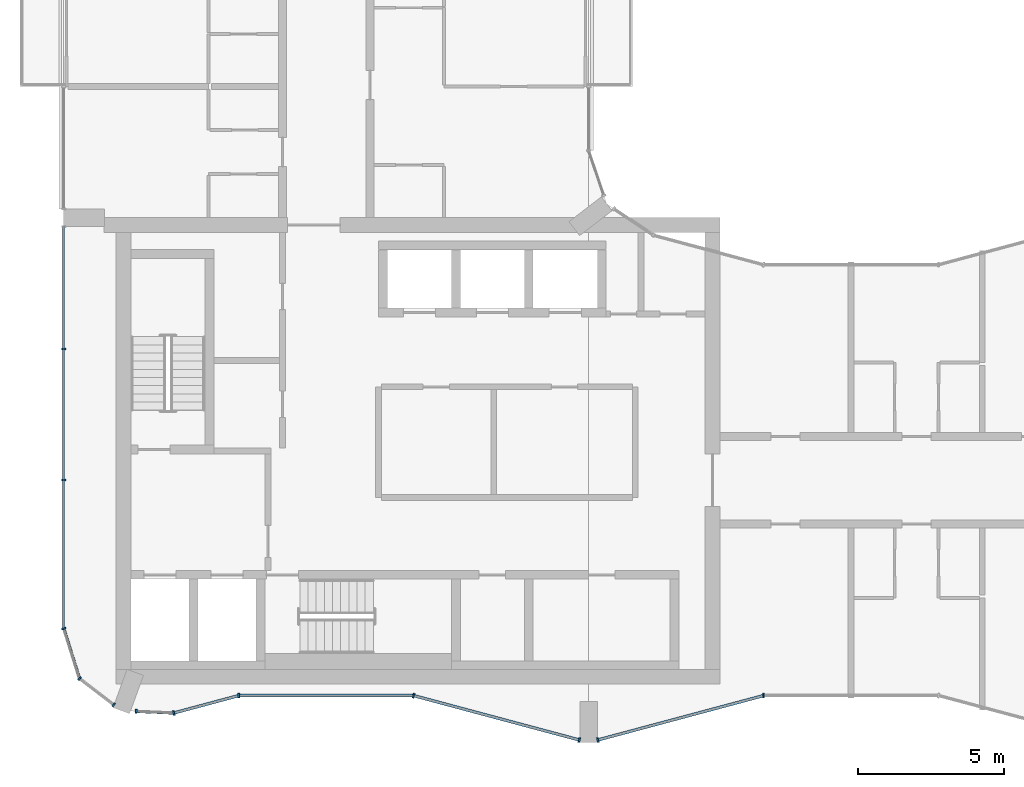
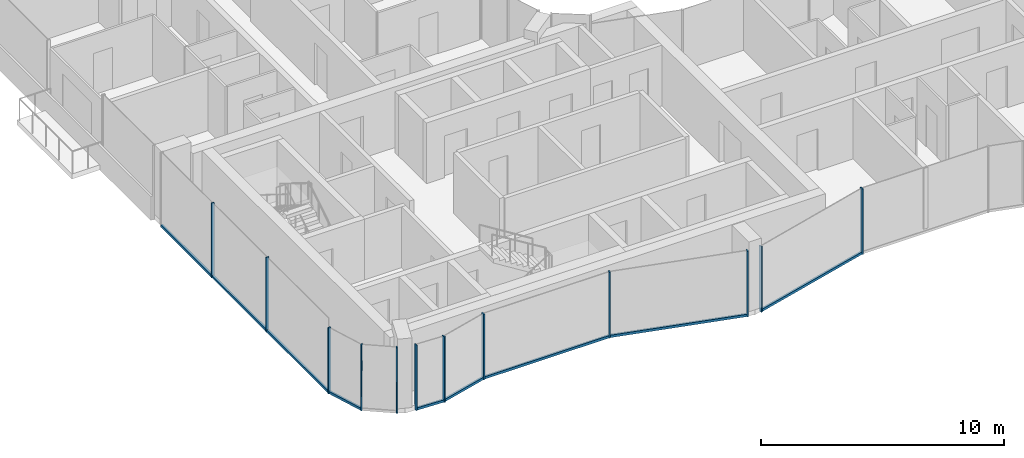
# One storey, part 2 of 17: 19 members, 9 elements without a shape of their own.
"""IFC4 building model written with IfcOpenShell, lengths in metres."""

from ifc_helpers import new_model, si_unit, direction, frame, origin, origin_2d, place, context, subcontext, project, spatial, rectangle, extrude, material, layer, layer_set, material_profile, profile_set, type_object, element, aggregate, save


model = new_model("IFC4")

# Units and contexts
model_context = context("Model", 3, precision=1e-05, world=origin(), true_north=direction((0.0, 1.0)))
body_context = subcontext(model_context, "Body", "Model", "MODEL_VIEW")
ifc_project = project(units=[si_unit("LENGTHUNIT", "METRE"), si_unit("AREAUNIT", "SQUARE_METRE"), si_unit("VOLUMEUNIT", "CUBIC_METRE"), si_unit("PLANEANGLEUNIT", "RADIAN"), si_unit("MASSUNIT", "GRAM", prefix="KILO")], contexts=[model_context])

# Site, building, storey
site_placement = place(None, origin())
site = spatial("IfcSite", under=ifc_project, at=site_placement, CompositionType="ELEMENT")
building_placement = place(site_placement, origin())
building = spatial("IfcBuilding", under=site, at=building_placement, Name="Plateau Cross Towers", CompositionType="ELEMENT")
storey_placement = place(building_placement, frame((0.0, 0.0, 225.89990234375)))
storey = spatial("IfcBuildingStorey", under=building, at=storey_placement, Name="L59", CompositionType="ELEMENT", Elevation=225.89990234375)

# Curtain wall, members
ifc_material_1 = material(Name="Dark low-iron glass", Category="glass")
ifc_layer_1 = layer(ifc_material_1, 0.239990234375)
ifc_layer_set_1 = layer_set([ifc_layer_1], Name="Dark low-iron glass")
curtain_wall_type_1 = type_object("IfcCurtainWallType", Name="Curtain wall flush unitised CW-B", PredefinedType="NOTDEFINED", material=ifc_layer_set_1)
curtain_wall_1_placement = place(storey_placement, origin())
curtain_wall_1 = element("IfcCurtainWall", 1, at=curtain_wall_1_placement, inside=storey, type_object=curtain_wall_type_1, Name="ENV/A/L59/A0_177", PredefinedType="NOTDEFINED")
ifc_material_2 = material(Name="Black anodised aluminium", Category="aluminium")
ifc_material_profile_1 = material_profile(ifc_material_2, rectangle(XDim=0.06005859375, YDim=0.139892578125, at=origin_2d()), Name="MULLION 60x140")
ifc_profile_set_1 = profile_set([ifc_material_profile_1], Name="Black anodised aluminium")
member_type_1 = type_object("IfcMemberType", Name="Mullion 60x140 flush unitised", PredefinedType="MULLION", material=ifc_profile_set_1)
member_1_placement = place(storey_placement, frame((0.0, 13.5, -0.25), z_axis=(0.0, 0.0, 1.0), x_axis=(0.0, -1.0, 0.0)))
member_1 = element("IfcMember", 2, at=member_1_placement, type_object=member_type_1, Name="CW-B mullion 2", PredefinedType="MULLION", context=body_context, shape_type="SweptSolid", body=[
    extrude(rectangle(XDim=0.06005859375, YDim=0.139892578125, at=origin_2d()), origin(), (0.0, 0.0, 1.0), 3.75),
])
member_2_placement = place(storey_placement, frame((0.0, 9.0, -0.25), z_axis=(0.0, 0.0, 1.0), x_axis=(0.0, -1.0, 0.0)))
member_2 = element("IfcMember", 3, at=member_2_placement, type_object=member_type_1, Name="CW-B mullion 3", PredefinedType="MULLION", context=body_context, shape_type="SweptSolid", body=[
    extrude(rectangle(XDim=0.06005859375, YDim=0.139892578125, at=origin_2d()), origin(), (0.0, 0.0, 1.0), 3.75),
])

# Curtain wall, member
curtain_wall_2_placement = place(storey_placement, origin())
curtain_wall_2 = element("IfcCurtainWall", 4, at=curtain_wall_2_placement, inside=storey, type_object=curtain_wall_type_1, Name="ENV/A/L59/A0_39", PredefinedType="NOTDEFINED")
member_3_placement = place(storey_placement, frame((0.0, 3.9091796875, -0.25), z_axis=(0.0, 0.0, 1.0), x_axis=(0.300686174994, -0.95372313811, 0.0)))
member_3 = element("IfcMember", 5, at=member_3_placement, type_object=member_type_1, Name="CW-B mullion 1", PredefinedType="MULLION", context=body_context, shape_type="SweptSolid", body=[
    extrude(rectangle(XDim=0.06005859375, YDim=0.139892578125, at=origin_2d()), origin(), (0.0, 0.0, 1.0), 3.300048828125),
])

# Curtain wall, members
curtain_wall_3_placement = place(storey_placement, origin())
curtain_wall_3 = element("IfcCurtainWall", 6, at=curtain_wall_3_placement, inside=storey, type_object=curtain_wall_type_1, Name="ENV/A/L59/A5_22", PredefinedType="NOTDEFINED")
member_4_placement = place(storey_placement, frame((0.54248046875, 2.1884765625, -0.25), z_axis=(0.0, 0.0, 1.0), x_axis=(0.793315514529, -0.608810721331, 0.0)))
member_4 = element("IfcMember", 7, at=member_4_placement, type_object=member_type_1, Name="CW-B mullion 1", PredefinedType="MULLION", context=body_context, shape_type="SweptSolid", body=[
    extrude(rectangle(XDim=0.06005859375, YDim=0.139892578125, at=origin_2d()), origin(), (0.0, 0.0, 1.0), 3.300048828125),
])
member_5_placement = place(storey_placement, frame((1.709716796875, 1.292724609375, -0.25), z_axis=(0.0, 0.0, 1.0), x_axis=(0.793315514529, -0.608810721331, 0.0)))
member_5 = element("IfcMember", 8, at=member_5_placement, type_object=member_type_1, Name="CW-B mullion 2", PredefinedType="MULLION", context=body_context, shape_type="SweptSolid", body=[
    extrude(rectangle(XDim=0.06005859375, YDim=0.139892578125, at=origin_2d()), origin(), (0.0, 0.0, 1.0), 3.300048828125),
])
aggregate(curtain_wall_3, [member_4, member_5])

# Curtain wall, member
curtain_wall_4_placement = place(storey_placement, origin())
curtain_wall_4 = element("IfcCurtainWall", 9, at=curtain_wall_4_placement, inside=storey, type_object=curtain_wall_type_1, Name="ENV/A/L59/A25_11", PredefinedType="NOTDEFINED")
member_6_placement = place(storey_placement, frame((2.483642578125, 1.06787109375, -0.25), z_axis=(0.0, 0.0, 1.0), x_axis=(0.999043701491, -0.043722791671, 0.0)))
member_6 = element("IfcMember", 10, at=member_6_placement, type_object=member_type_1, Name="CW-B mullion 1", PredefinedType="MULLION", context=body_context, shape_type="SweptSolid", body=[
    extrude(rectangle(XDim=0.06005859375, YDim=0.139892578125, at=origin_2d()), origin(), (0.0, 0.0, 1.0), 3.300048828125),
])

ifc_layer_2 = layer(ifc_material_1, 0.260009765625)
ifc_layer_set_2 = layer_set([ifc_layer_2], Name="Dark low-iron glass")
curtain_wall_type_2 = type_object("IfcCurtainWallType", Name="Curtain wall fluted unitised CW-A", PredefinedType="NOTDEFINED", material=ifc_layer_set_2)
curtain_wall_5_placement = place(storey_placement, origin())
curtain_wall_5 = element("IfcCurtainWall", 11, at=curtain_wall_5_placement, inside=storey, type_object=curtain_wall_type_2, Name="ENV/A/L59/A38_10", PredefinedType="NOTDEFINED")
ifc_material_profile_2 = material_profile(ifc_material_2, rectangle(XDim=0.06005859375, YDim=0.159912109375, at=origin_2d()), Name="MULLION 60x160")
ifc_profile_set_2 = profile_set([ifc_material_profile_2], Name="Black anodised aluminium")
member_type_2 = type_object("IfcMemberType", Name="Mullion 60x160 fluted unitised", PredefinedType="MULLION", material=ifc_profile_set_2)
member_7_placement = place(storey_placement, frame((3.776123046875, 1.01123046875, -0.25), z_axis=(0.0, 0.0, 1.0), x_axis=(0.965957962328, 0.258699081978, 0.0)))
member_7 = element("IfcMember", 12, at=member_7_placement, type_object=member_type_2, Name="CW-A mullion 1", PredefinedType="MULLION", context=body_context, shape_type="SweptSolid", body=[
    extrude(rectangle(XDim=0.06005859375, YDim=0.159912109375, at=origin_2d()), origin(), (0.0, 0.0, 1.0), 3.300048828125),
])

curtain_wall_6_placement = place(storey_placement, origin())
curtain_wall_6 = element("IfcCurtainWall", 13, at=curtain_wall_6_placement, inside=storey, type_object=curtain_wall_type_2, Name="ENV/A/L59/A60_16", PredefinedType="NOTDEFINED")
member_8_placement = place(storey_placement, frame((6.0, 1.60693359375, -0.25), z_axis=(0.0, 0.0, 1.0), x_axis=(1.0, 0.0, 0.0)))
member_8 = element("IfcMember", 14, at=member_8_placement, type_object=member_type_2, Name="CW-A mullion 1", PredefinedType="MULLION", context=body_context, shape_type="SweptSolid", body=[
    extrude(rectangle(XDim=0.06005859375, YDim=0.159912109375, at=origin_2d()), origin(), (0.0, 0.0, 1.0), 3.300048828125),
])

# Curtain wall, members
curtain_wall_7_placement = place(storey_placement, origin())
curtain_wall_7 = element("IfcCurtainWall", 15, at=curtain_wall_7_placement, inside=storey, type_object=curtain_wall_type_2, Name="ENV/A/L59/A120_16", PredefinedType="NOTDEFINED")
member_9_placement = place(storey_placement, frame((12.0, 1.60693359375, -0.25), z_axis=(0.0, 0.0, 1.0), x_axis=(0.965957983404, -0.258699003279, 0.0)))
member_9 = element("IfcMember", 16, at=member_9_placement, type_object=member_type_2, Name="CW-A mullion 1", PredefinedType="MULLION", context=body_context, shape_type="SweptSolid", body=[
    extrude(rectangle(XDim=0.06005859375, YDim=0.159912109375, at=origin_2d()), origin(), (0.0, 0.0, 1.0), 3.300048828125),
])
member_10_placement = place(storey_placement, frame((17.68212890625, 0.085205078125, -0.25), z_axis=(0.0, 0.0, 1.0), x_axis=(0.965957983404, -0.258699003279, 0.0)))
member_10 = element("IfcMember", 17, at=member_10_placement, type_object=member_type_2, Name="CW-A mullion 2", PredefinedType="MULLION", context=body_context, shape_type="SweptSolid", body=[
    extrude(rectangle(XDim=0.06005859375, YDim=0.159912109375, at=origin_2d()), origin(), (0.0, 0.0, 1.0), 3.300048828125),
])

# Curtain wall, member
curtain_wall_8_placement = place(storey_placement, origin())
curtain_wall_8 = element("IfcCurtainWall", 18, at=curtain_wall_8_placement, inside=storey, type_object=curtain_wall_type_2, Name="ENV/A/L59/A183_1", PredefinedType="NOTDEFINED")
member_11_placement = place(storey_placement, frame((18.31787109375, 0.085205078125, -0.25), z_axis=(0.0, 0.0, 1.0), x_axis=(0.965957983404, 0.258699003279, 0.0)))
member_11 = element("IfcMember", 19, at=member_11_placement, type_object=member_type_2, Name="CW-A mullion 1", PredefinedType="MULLION", context=body_context, shape_type="SweptSolid", body=[
    extrude(rectangle(XDim=0.06005859375, YDim=0.159912109375, at=origin_2d()), origin(), (0.0, 0.0, 1.0), 3.300048828125),
])

curtain_wall_9_placement = place(storey_placement, origin())
curtain_wall_9 = element("IfcCurtainWall", 20, at=curtain_wall_9_placement, inside=storey, type_object=curtain_wall_type_2, Name="ENV/A/L59/A240_16", PredefinedType="NOTDEFINED")
member_12_placement = place(storey_placement, frame((24.0, 1.60693359375, -0.25), z_axis=(0.0, 0.0, 1.0), x_axis=(1.0, 0.0, 0.0)))
member_12 = element("IfcMember", 21, at=member_12_placement, type_object=member_type_2, Name="CW-A mullion 1", PredefinedType="MULLION", context=body_context, shape_type="SweptSolid", body=[
    extrude(rectangle(XDim=0.06005859375, YDim=0.159912109375, at=origin_2d()), origin(), (0.0, 0.0, 1.0), 3.300048828125),
])
aggregate(curtain_wall_9, [member_12])

# Member
ifc_material_profile_3 = material_profile(ifc_material_2, rectangle(XDim=0.10009765625, YDim=0.1201171875, at=origin_2d()), Name="TRANSOM 100x120")
ifc_profile_set_3 = profile_set([ifc_material_profile_3], Name="Black anodised aluminium")
member_type_3 = type_object("IfcMemberType", Name="Transom 100x120 flush unitised", PredefinedType="USERDEFINED", material=ifc_profile_set_3)
member_13_placement = place(storey_placement, frame((0.0, 17.699951171875, -0.18994140625), z_axis=(0.0, -1.0, 0.0), x_axis=(1.0, 0.0, 0.0)))
member_13 = element("IfcMember", 22, at=member_13_placement, type_object=member_type_3, Name="CW-B transom", ObjectType="TRANSOM", PredefinedType="USERDEFINED", context=body_context, shape_type="SweptSolid", body=[
    extrude(rectangle(XDim=0.10009765625, YDim=0.1201171875, at=origin_2d()), origin(), (0.0, 0.0, 1.0), 13.790771484375),
])

aggregate(curtain_wall_1, [member_1, member_2, member_13])

member_14_placement = place(storey_placement, frame((0.0, 3.9091796875, -0.18994140625), z_axis=(0.30067799945, -0.953725715626, 0.0), x_axis=(0.953725715626, 0.30067799945, 0.0)))
member_14 = element("IfcMember", 23, at=member_14_placement, type_object=member_type_3, Name="CW-B transom", ObjectType="TRANSOM", PredefinedType="USERDEFINED", context=body_context, shape_type="SweptSolid", body=[
    extrude(rectangle(XDim=0.10009765625, YDim=0.1201171875, at=origin_2d()), origin(), (0.0, 0.0, 1.0), 1.80419921875),
])

aggregate(curtain_wall_2, [member_3, member_14])

member_15_placement = place(storey_placement, frame((2.483642578125, 1.06787109375, -0.18994140625), z_axis=(0.999041144614, -0.043781175963, 0.0), x_axis=(0.043781175963, 0.999041144614, 0.0)))
member_15 = element("IfcMember", 24, at=member_15_placement, type_object=member_type_3, Name="CW-B transom", ObjectType="TRANSOM", PredefinedType="USERDEFINED", context=body_context, shape_type="SweptSolid", body=[
    extrude(rectangle(XDim=0.10009765625, YDim=0.1201171875, at=origin_2d()), origin(), (0.0, 0.0, 1.0), 1.293701171875),
])

aggregate(curtain_wall_4, [member_6, member_15])

ifc_material_profile_4 = material_profile(ifc_material_2, rectangle(XDim=0.10009765625, YDim=0.1201171875, at=origin_2d()), Name="TRANSOM 100x120")
ifc_profile_set_4 = profile_set([ifc_material_profile_4], Name="Black anodised aluminium")
member_type_4 = type_object("IfcMemberType", Name="Transom 100x120 fluted unitised", PredefinedType="USERDEFINED", material=ifc_profile_set_4)
member_16_placement = place(storey_placement, frame((3.776123046875, 1.01123046875, -0.18994140625), z_axis=(0.965945685136, 0.258744919501, 0.0), x_axis=(-0.258744919501, 0.965945685136, 0.0)))
member_16 = element("IfcMember", 25, at=member_16_placement, type_object=member_type_4, Name="CW-A transom", ObjectType="TRANSOM", PredefinedType="USERDEFINED", context=body_context, shape_type="SweptSolid", body=[
    extrude(rectangle(XDim=0.10009765625, YDim=0.1201171875, at=origin_2d()), origin(), (0.0, 0.0, 1.0), 2.30224609375),
])

aggregate(curtain_wall_5, [member_7, member_16])

member_17_placement = place(storey_placement, frame((6.0, 1.60693359375, -0.18994140625), z_axis=(1.0, 0.0, 0.0), x_axis=(0.0, 1.0, 0.0)))
member_17 = element("IfcMember", 26, at=member_17_placement, type_object=member_type_4, Name="CW-A transom", ObjectType="TRANSOM", PredefinedType="USERDEFINED", context=body_context, shape_type="SweptSolid", body=[
    extrude(rectangle(XDim=0.10009765625, YDim=0.1201171875, at=origin_2d()), origin(), (0.0, 0.0, 1.0), 6.0),
])

aggregate(curtain_wall_6, [member_8, member_17])

member_18_placement = place(storey_placement, frame((12.0, 1.60693359375, -0.18994140625), z_axis=(0.965959534794, -0.258693210465, 0.0), x_axis=(0.258693210465, 0.965959534794, 0.0)))
member_18 = element("IfcMember", 27, at=member_18_placement, type_object=member_type_4, Name="CW-A transom", ObjectType="TRANSOM", PredefinedType="USERDEFINED", context=body_context, shape_type="SweptSolid", body=[
    extrude(rectangle(XDim=0.10009765625, YDim=0.1201171875, at=origin_2d()), origin(), (0.0, 0.0, 1.0), 5.88232421875),
])

aggregate(curtain_wall_7, [member_9, member_10, member_18])

member_19_placement = place(storey_placement, frame((18.31787109375, 0.085205078125, -0.18994140625), z_axis=(0.965959534794, 0.258693210465, 0.0), x_axis=(-0.258693210465, 0.965959534794, 0.0)))
member_19 = element("IfcMember", 28, at=member_19_placement, type_object=member_type_4, Name="CW-A transom", ObjectType="TRANSOM", PredefinedType="USERDEFINED", context=body_context, shape_type="SweptSolid", body=[
    extrude(rectangle(XDim=0.10009765625, YDim=0.1201171875, at=origin_2d()), origin(), (0.0, 0.0, 1.0), 5.88232421875),
])

aggregate(curtain_wall_8, [member_11, member_19])

save(model, "model.ifc")
